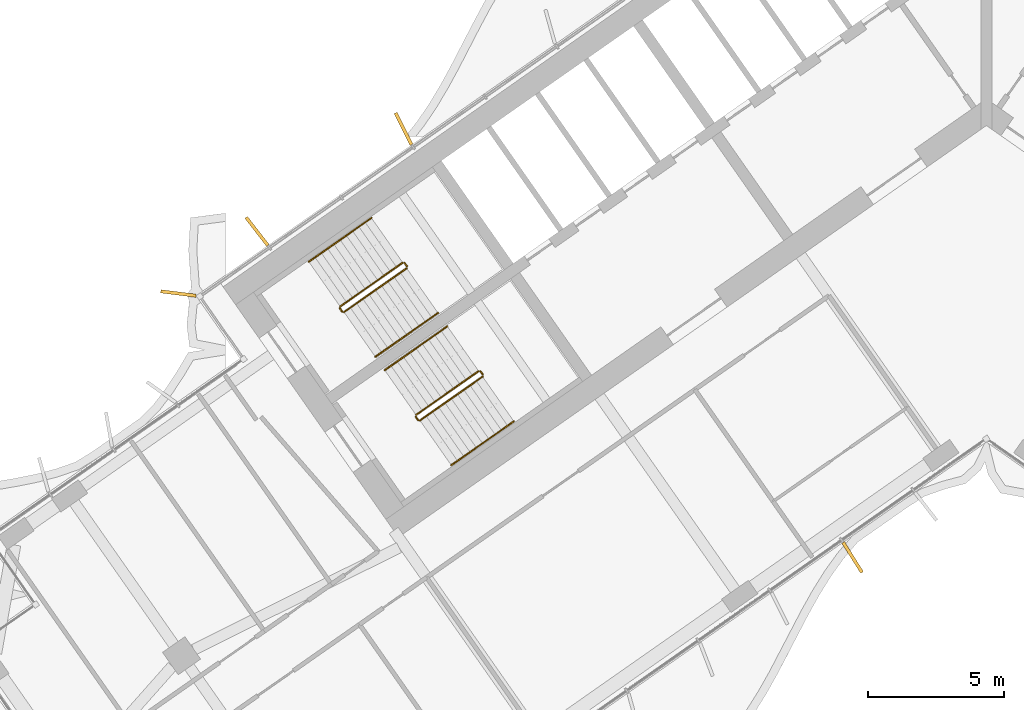
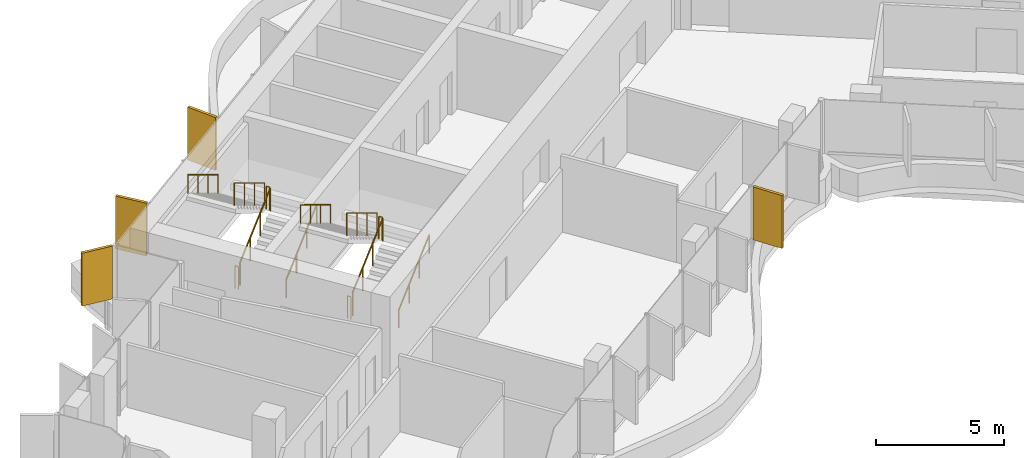
# One storey, part 20 of 23: 12 railings, 4 shading devices.
"""IFC4 building model written with IfcOpenShell, lengths in metres."""

from ifc_helpers import new_model, si_unit, direction, frame, origin, origin_2d, place, context, subcontext, project, spatial, rectangle, circle, extrude, material, layer, layer_set, type_object, element, save


model = new_model("IFC4")

# Units and contexts
model_context = context("Model", 3, precision=1e-05, world=origin(), true_north=direction((0.0, 1.0)))
body_context = subcontext(model_context, "Body", "Model", "MODEL_VIEW")
ifc_project = project(units=[si_unit("LENGTHUNIT", "METRE"), si_unit("AREAUNIT", "SQUARE_METRE"), si_unit("VOLUMEUNIT", "CUBIC_METRE"), si_unit("PLANEANGLEUNIT", "RADIAN"), si_unit("MASSUNIT", "GRAM", prefix="KILO")], contexts=[model_context])

# Site, building, storey
site_placement = place(None, origin())
site = spatial("IfcSite", under=ifc_project, at=site_placement, CompositionType="ELEMENT")
building_placement = place(site_placement, origin())
building = spatial("IfcBuilding", under=site, at=building_placement, Name="Tel Ilan Convention Tower", CompositionType="ELEMENT")
storey_placement = place(building_placement, frame((0.0, 0.0, 178.800048828125)))
storey = spatial("IfcBuildingStorey", under=building, at=storey_placement, Name="L41", CompositionType="ELEMENT", Elevation=178.800048828125)

# Shading devices
ifc_material_1 = material(Name="Aluminium, bronze anodised", Category="aluminium")
ifc_layer = layer(ifc_material_1, 0.1201171875)
ifc_layer_set = layer_set([ifc_layer], Name="FIN BRONZE 1300x120")
shading_device_type = type_object("IfcShadingDeviceType", Name="FIN BRONZE 1300x120", PredefinedType="USERDEFINED", material=ifc_layer_set)
for number, where, z_axis, x_axis, name in (
    (1, (-21.357421875, -1.34130859375, 1.099853515625), (0.0, 0.0, 1.0), (-0.448799180206, 0.893632640321, 0.0), "FIN"),
    (2, (-26.725830078125, -5.099853515625, 1.099853515625), (0.0, 0.0, 1.0), (-0.612600545196, 0.790392669516, 0.0), "FIN"),
    (3, (-29.60595703125, -7.376953125, 1.099853515625), (0.0, 0.0, 1.0), (-0.992066016082, 0.125718016748, 0.0), "FIN"),
    (4, (-4.90234375, -17.04638671875, 1.099853515625), (0.0, 0.0, 1.0), (0.533204432798, -0.845986425922, 0.0), "FIN"),
):
    element("IfcShadingDevice", number, at=place(storey_placement, frame(where, z_axis=z_axis, x_axis=x_axis)), inside=storey, type_object=shading_device_type, Name=name, ObjectType="FIN", PredefinedType="USERDEFINED", context=body_context, shape_type="SweptSolid", body=[
        extrude(rectangle(XDim=1.300048828125, YDim=0.1201171875, at=origin_2d()), origin(), (0.0, 0.0, 1.0), 2.52001953125),
    ])

# Railings
ifc_material_2 = material(Name="Stainless Steel Grade 316", Category="steel")
railing_type_1 = type_object("IfcRailingType", Name="Stainless Steel Stair Guard 1100 mm", PredefinedType="GUARDRAIL", material=ifc_material_2)
railing_1_placement = place(storey_placement, frame((-23.535400390625, -8.056396484375, 0.17724609375)))
element("IfcRailing", 5, at=railing_1_placement, inside=storey, type_object=railing_type_1, Name="L41 S1 stair guard 1", PredefinedType="GUARDRAIL", context=body_context, shape_type="SweptSolid", body=[
    extrude(circle(Radius=0.02392578125, at=origin_2d()), frame((0.0, 0.0, 1.076171875), z_axis=(0.692098378994, 0.484653031975, 0.534893701956), x_axis=(-0.573608623498, 0.819129505664, 0.0)), (0.0, 0.0, 1.0), 3.314208984375),
    extrude(circle(Radius=0.02099609375, at=origin_2d()), origin(), (0.0, 0.0, 1.0), 1.052001953125),
    extrude(circle(Radius=0.02099609375, at=origin_2d()), frame((0.7646484375, 0.535400390625, 0.5908203125)), (0.0, 0.0, 1.0), 1.052001953125),
    extrude(circle(Radius=0.02099609375, at=origin_2d()), frame((1.529052734375, 1.07080078125, 1.181884765625)), (0.0, 0.0, 1.0), 1.052001953125),
    extrude(circle(Radius=0.02099609375, at=origin_2d()), frame((2.293701171875, 1.606201171875, 1.772705078125)), (0.0, 0.0, 1.0), 1.052001953125),
])
railing_2_placement = place(storey_placement, frame((-21.2294921875, -6.380615234375, 1.949951171875)))
element("IfcRailing", 6, at=railing_2_placement, inside=storey, type_object=railing_type_1, Name="L41 S1 stair guard 2", PredefinedType="GUARDRAIL", context=body_context, shape_type="SweptSolid", body=[
    extrude(circle(Radius=0.02392578125, at=origin_2d()), frame((0.0, 0.0, 1.076171875), z_axis=(-0.573353020881, 0.819308436089, 0.0), x_axis=(-0.819308436089, -0.573353020881, 0.0)), (0.0, 0.0, 1.0), 0.14990234375),
    extrude(circle(Radius=0.02099609375, at=origin_2d()), origin(), (0.0, 0.0, 1.0), 1.052001953125),
    extrude(circle(Radius=0.02099609375, at=origin_2d()), frame((-0.0859375, 0.122802734375, 0.0)), (0.0, 0.0, 1.0), 1.052001953125),
])
railing_3_placement = place(storey_placement, frame((-21.38525390625, -6.24560546875, 2.127197265625)))
element("IfcRailing", 7, at=railing_3_placement, inside=storey, type_object=railing_type_1, Name="L41 S1 stair guard 3", PredefinedType="GUARDRAIL", context=body_context, shape_type="SweptSolid", body=[
    extrude(circle(Radius=0.02392578125, at=origin_2d()), frame((0.0, 0.0, 1.076171875), z_axis=(-0.692084706163, -0.484621375041, 0.534940073605), x_axis=(0.573591086599, -0.819141785879, 0.0)), (0.0, 0.0, 1.0), 3.313720703125),
    extrude(circle(Radius=0.02099609375, at=origin_2d()), origin(), (0.0, 0.0, 1.0), 1.052001953125),
    extrude(circle(Radius=0.02099609375, at=origin_2d()), frame((-0.764404296875, -0.535400390625, 0.5908203125)), (0.0, 0.0, 1.0), 1.052001953125),
    extrude(circle(Radius=0.02099609375, at=origin_2d()), frame((-1.529052734375, -1.070556640625, 1.181884765625)), (0.0, 0.0, 1.0), 1.052001953125),
    extrude(circle(Radius=0.02099609375, at=origin_2d()), frame((-2.29345703125, -1.60595703125, 1.772705078125)), (0.0, 0.0, 1.0), 1.052001953125),
])
railing_4_placement = place(storey_placement, frame((-23.60498046875, -8.0439453125, 0.0)))
element("IfcRailing", 8, at=railing_4_placement, inside=storey, type_object=railing_type_1, Name="L41 S1 stair guard 4", PredefinedType="GUARDRAIL", context=body_context, shape_type="SweptSolid", body=[
    extrude(circle(Radius=0.02392578125, at=origin_2d()), frame((0.0, 0.0, 1.076171875), z_axis=(-0.574444878118, 0.818543268254, 0.0), x_axis=(-0.818543268254, -0.574444878118, 0.0)), (0.0, 0.0, 1.0), 0.150146484375),
    extrude(circle(Radius=0.02099609375, at=origin_2d()), origin(), (0.0, 0.0, 1.0), 1.052001953125),
    extrude(circle(Radius=0.02099609375, at=origin_2d()), frame((-0.086181640625, 0.122802734375, 0.0)), (0.0, 0.0, 1.0), 1.052001953125),
])
railing_5_placement = place(storey_placement, frame((-20.753662109375, -12.029296875, 0.17724609375)))
element("IfcRailing", 9, at=railing_5_placement, inside=storey, type_object=railing_type_1, Name="L41 S2 stair guard 1", PredefinedType="GUARDRAIL", context=body_context, shape_type="SweptSolid", body=[
    extrude(circle(Radius=0.02392578125, at=origin_2d()), frame((0.0, 0.0, 1.076171875), z_axis=(0.692098378994, 0.484653031975, 0.534893701956), x_axis=(-0.573608623498, 0.819129505664, 0.0)), (0.0, 0.0, 1.0), 3.314208984375),
    extrude(circle(Radius=0.02099609375, at=origin_2d()), origin(), (0.0, 0.0, 1.0), 1.052001953125),
    extrude(circle(Radius=0.02099609375, at=origin_2d()), frame((0.7646484375, 0.535400390625, 0.5908203125)), (0.0, 0.0, 1.0), 1.052001953125),
    extrude(circle(Radius=0.02099609375, at=origin_2d()), frame((1.529052734375, 1.07080078125, 1.181884765625)), (0.0, 0.0, 1.0), 1.052001953125),
    extrude(circle(Radius=0.02099609375, at=origin_2d()), frame((2.293701171875, 1.606201171875, 1.772705078125)), (0.0, 0.0, 1.0), 1.052001953125),
])
railing_6_placement = place(storey_placement, frame((-18.44775390625, -10.353515625, 1.949951171875)))
element("IfcRailing", 10, at=railing_6_placement, inside=storey, type_object=railing_type_1, Name="L41 S2 stair guard 2", PredefinedType="GUARDRAIL", context=body_context, shape_type="SweptSolid", body=[
    extrude(circle(Radius=0.02392578125, at=origin_2d()), frame((0.0, 0.0, 1.076171875), z_axis=(-0.573353020881, 0.819308436089, 0.0), x_axis=(-0.819308436089, -0.573353020881, 0.0)), (0.0, 0.0, 1.0), 0.14990234375),
    extrude(circle(Radius=0.02099609375, at=origin_2d()), origin(), (0.0, 0.0, 1.0), 1.052001953125),
    extrude(circle(Radius=0.02099609375, at=origin_2d()), frame((-0.0859375, 0.122802734375, 0.0)), (0.0, 0.0, 1.0), 1.052001953125),
])
railing_7_placement = place(storey_placement, frame((-18.603271484375, -10.218505859375, 2.127197265625)))
element("IfcRailing", 11, at=railing_7_placement, inside=storey, type_object=railing_type_1, Name="L41 S2 stair guard 3", PredefinedType="GUARDRAIL", context=body_context, shape_type="SweptSolid", body=[
    extrude(circle(Radius=0.02392578125, at=origin_2d()), frame((0.0, 0.0, 1.076171875), z_axis=(-0.692123088272, -0.484596665743, 0.534912798717), x_axis=(0.573550118428, -0.819170471667, 0.0)), (0.0, 0.0, 1.0), 3.31396484375),
    extrude(circle(Radius=0.02099609375, at=origin_2d()), origin(), (0.0, 0.0, 1.0), 1.052001953125),
    extrude(circle(Radius=0.02099609375, at=origin_2d()), frame((-0.7646484375, -0.535400390625, 0.5908203125)), (0.0, 0.0, 1.0), 1.052001953125),
    extrude(circle(Radius=0.02099609375, at=origin_2d()), frame((-1.529052734375, -1.070556640625, 1.181884765625)), (0.0, 0.0, 1.0), 1.052001953125),
    extrude(circle(Radius=0.02099609375, at=origin_2d()), frame((-2.293701171875, -1.60595703125, 1.772705078125)), (0.0, 0.0, 1.0), 1.052001953125),
])
railing_8_placement = place(storey_placement, frame((-20.8232421875, -12.016845703125, 0.0)))
element("IfcRailing", 12, at=railing_8_placement, inside=storey, type_object=railing_type_1, Name="L41 S2 stair guard 4", PredefinedType="GUARDRAIL", context=body_context, shape_type="SweptSolid", body=[
    extrude(circle(Radius=0.02392578125, at=origin_2d()), frame((0.0, 0.0, 1.076171875), z_axis=(-0.573353020881, 0.819308436089, 0.0), x_axis=(-0.819308436089, -0.573353020881, 0.0)), (0.0, 0.0, 1.0), 0.14990234375),
    extrude(circle(Radius=0.02099609375, at=origin_2d()), origin(), (0.0, 0.0, 1.0), 1.052001953125),
    extrude(circle(Radius=0.02099609375, at=origin_2d()), frame((-0.0859375, 0.122802734375, 0.0)), (0.0, 0.0, 1.0), 1.052001953125),
])
ifc_material_3 = material(Name="Stainless Steel Grade 316", Category="steel")
railing_type_2 = type_object("IfcRailingType", Name="Stainless Steel Stair Handrail 900 mm", PredefinedType="HANDRAIL", material=ifc_material_3)
railing_9_placement = place(storey_placement, frame((-22.38818359375, -9.694580078125, 0.17724609375)))
element("IfcRailing", 13, at=railing_9_placement, inside=storey, type_object=railing_type_2, Name="L41 S1 stair handrail 1", PredefinedType="HANDRAIL", context=body_context, shape_type="SweptSolid", body=[
    extrude(circle(Radius=0.02392578125, at=origin_2d()), frame((0.0, 0.0, 0.8759765625), z_axis=(0.692084706163, 0.484621375041, 0.534940073605), x_axis=(-0.573591086599, 0.819141785879, 0.0)), (0.0, 0.0, 1.0), 3.313720703125),
    extrude(circle(Radius=0.02099609375, at=origin_2d()), origin(), (0.0, 0.0, 1.0), 0.851806640625),
    extrude(circle(Radius=0.02099609375, at=origin_2d()), frame((0.764404296875, 0.535400390625, 0.5908203125)), (0.0, 0.0, 1.0), 0.851806640625),
    extrude(circle(Radius=0.02099609375, at=origin_2d()), frame((1.529052734375, 1.070556640625, 1.181884765625)), (0.0, 0.0, 1.0), 0.851806640625),
    extrude(circle(Radius=0.02099609375, at=origin_2d()), frame((2.29345703125, 1.60595703125, 1.772705078125)), (0.0, 0.0, 1.0), 0.851806640625),
])
railing_10_placement = place(storey_placement, frame((-22.5322265625, -4.607177734375, 2.127197265625)))
element("IfcRailing", 14, at=railing_10_placement, inside=storey, type_object=railing_type_2, Name="L41 S1 stair handrail 2", PredefinedType="HANDRAIL", context=body_context, shape_type="SweptSolid", body=[
    extrude(circle(Radius=0.02392578125, at=origin_2d()), frame((0.0, 0.0, 0.8759765625), z_axis=(-0.692123088272, -0.484596665743, 0.534912798717), x_axis=(0.573550118428, -0.819170471667, 0.0)), (0.0, 0.0, 1.0), 3.31396484375),
    extrude(circle(Radius=0.02099609375, at=origin_2d()), origin(), (0.0, 0.0, 1.0), 0.851806640625),
    extrude(circle(Radius=0.02099609375, at=origin_2d()), frame((-0.7646484375, -0.535400390625, 0.5908203125)), (0.0, 0.0, 1.0), 0.851806640625),
    extrude(circle(Radius=0.02099609375, at=origin_2d()), frame((-1.529052734375, -1.070556640625, 1.181884765625)), (0.0, 0.0, 1.0), 0.851806640625),
    extrude(circle(Radius=0.02099609375, at=origin_2d()), frame((-2.293701171875, -1.60595703125, 1.772705078125)), (0.0, 0.0, 1.0), 0.851806640625),
])
railing_11_placement = place(storey_placement, frame((-19.6064453125, -13.66748046875, 0.17724609375)))
element("IfcRailing", 15, at=railing_11_placement, inside=storey, type_object=railing_type_2, Name="L41 S2 stair handrail 1", PredefinedType="HANDRAIL", context=body_context, shape_type="SweptSolid", body=[
    extrude(circle(Radius=0.02392578125, at=origin_2d()), frame((0.0, 0.0, 0.8759765625), z_axis=(0.692123088272, 0.484596665743, 0.534912798717), x_axis=(-0.573550118428, 0.819170471667, 0.0)), (0.0, 0.0, 1.0), 3.31396484375),
    extrude(circle(Radius=0.02099609375, at=origin_2d()), origin(), (0.0, 0.0, 1.0), 0.851806640625),
    extrude(circle(Radius=0.02099609375, at=origin_2d()), frame((0.7646484375, 0.535400390625, 0.5908203125)), (0.0, 0.0, 1.0), 0.851806640625),
    extrude(circle(Radius=0.02099609375, at=origin_2d()), frame((1.529052734375, 1.070556640625, 1.181884765625)), (0.0, 0.0, 1.0), 0.851806640625),
    extrude(circle(Radius=0.02099609375, at=origin_2d()), frame((2.293701171875, 1.60595703125, 1.772705078125)), (0.0, 0.0, 1.0), 0.851806640625),
])
railing_12_placement = place(storey_placement, frame((-19.75048828125, -8.580078125, 2.127197265625)))
element("IfcRailing", 16, at=railing_12_placement, inside=storey, type_object=railing_type_2, Name="L41 S2 stair handrail 2", PredefinedType="HANDRAIL", context=body_context, shape_type="SweptSolid", body=[
    extrude(circle(Radius=0.02392578125, at=origin_2d()), frame((0.0, 0.0, 0.8759765625), z_axis=(-0.692123088272, -0.484596665743, 0.534912798717), x_axis=(0.573550118428, -0.819170471667, 0.0)), (0.0, 0.0, 1.0), 3.31396484375),
    extrude(circle(Radius=0.02099609375, at=origin_2d()), origin(), (0.0, 0.0, 1.0), 0.851806640625),
    extrude(circle(Radius=0.02099609375, at=origin_2d()), frame((-0.7646484375, -0.535400390625, 0.5908203125)), (0.0, 0.0, 1.0), 0.851806640625),
    extrude(circle(Radius=0.02099609375, at=origin_2d()), frame((-1.529052734375, -1.070556640625, 1.181884765625)), (0.0, 0.0, 1.0), 0.851806640625),
    extrude(circle(Radius=0.02099609375, at=origin_2d()), frame((-2.293701171875, -1.60595703125, 1.772705078125)), (0.0, 0.0, 1.0), 0.851806640625),
])

save(model, "model.ifc")
